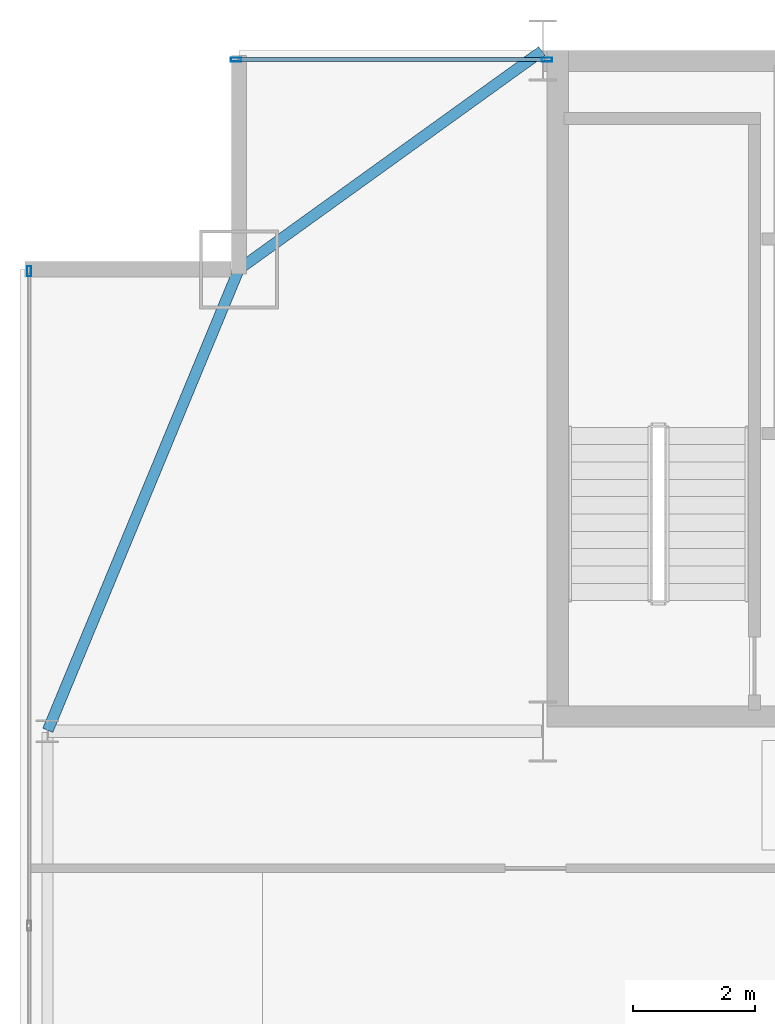
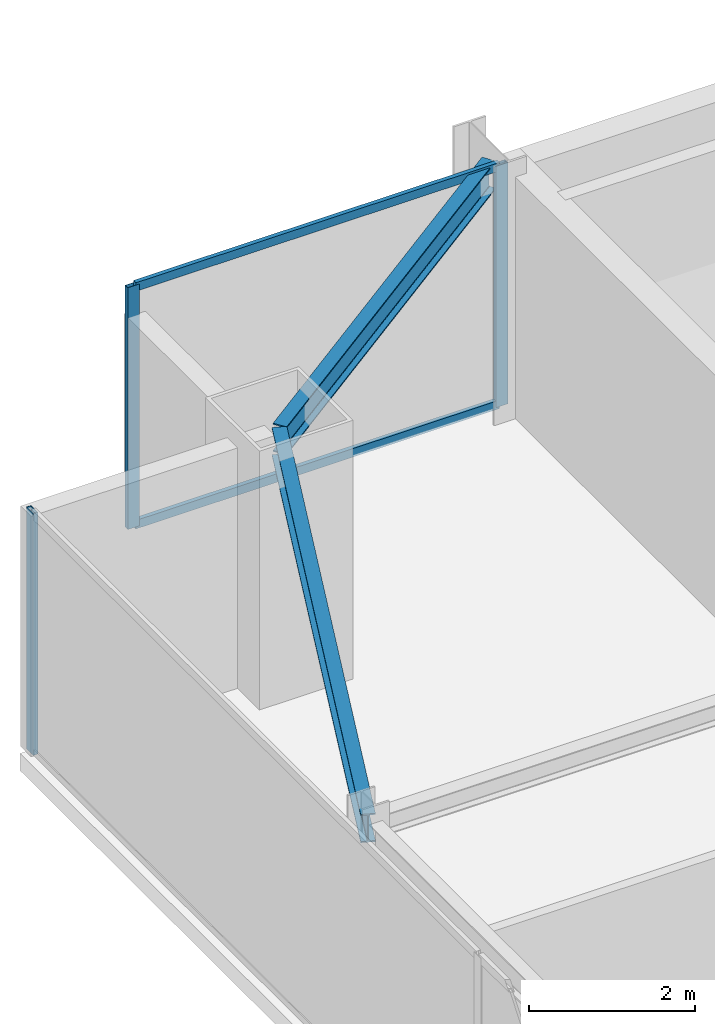
# One storey, part 20 of 30: 5 members, 2 beams, 2 elements without a shape of their own.
"""IFC4 building model written with IfcOpenShell, lengths in metres."""

from ifc_helpers import new_model, si_unit, direction, frame, origin, origin_2d, place, context, subcontext, project, spatial, hollow_rectangle, i_section, extrude, source, transform, mapped, material, layer, layer_set, material_profile, profile_set, type_object, type_shapes, element, aggregate, save


model = new_model("IFC4")

# Units and contexts
model_context = context("Model", 3, precision=1e-05, world=origin(), true_north=direction((0.0, 1.0)))
body_context = subcontext(model_context, "Body", "Model", "MODEL_VIEW")
ifc_project = project(units=[si_unit("LENGTHUNIT", "METRE"), si_unit("AREAUNIT", "SQUARE_METRE"), si_unit("VOLUMEUNIT", "CUBIC_METRE"), si_unit("PLANEANGLEUNIT", "RADIAN"), si_unit("MASSUNIT", "GRAM", prefix="KILO")], contexts=[model_context])

# Site, building, storey
site_placement = place(None, origin())
site = spatial("IfcSite", under=ifc_project, at=site_placement, CompositionType="ELEMENT")
building_placement = place(site_placement, origin())
building = spatial("IfcBuilding", under=site, at=building_placement, Name="Varnel Quay Broadcast Tower", CompositionType="ELEMENT")
storey_placement = place(building_placement, frame((0.0, 0.0, 180.0)))
storey = spatial("IfcBuildingStorey", under=building, at=storey_placement, Name="L44", CompositionType="ELEMENT", Elevation=180.0)

# Beams
ifc_material_1 = material(Name="Structural Steel CSA G40.21 350W", Category="steel")
ifc_material_profile_1 = material_profile(ifc_material_1, i_section(OverallWidth=0.180908203125, OverallDepth=0.4169921875, WebThickness=0.010986328125, FlangeThickness=0.018310546875, FilletRadius=0.011962890625, at=origin_2d()), Name="W410X85")
ifc_profile_set_1 = profile_set([ifc_material_profile_1], Name="Structural Steel CSA G40.21 350W")
beam_type = type_object("IfcBeamType", Name="Beam_W410X85", PredefinedType="SPANDREL", material=ifc_profile_set_1)
shared_shape_1 = source(origin(), body_context, "Body", "SweptSolid", [
    extrude(i_section(OverallWidth=0.180908203125, OverallDepth=0.4169921875, WebThickness=0.010986328125, FlangeThickness=0.018310546875, FilletRadius=0.011962890625, at=origin_2d()), origin(), (0.0, 0.0, 1.0), 8.186767578125),
])
beam_1_placement = place(storey_placement, frame((7.457763671875, 35.618408203125, 3.341552734375), z_axis=(0.382874132092, 0.923800519038, 0.0), x_axis=(-0.923800519038, 0.382874132092, 0.0)))
element("IfcBeam", 1, at=beam_1_placement, inside=storey, type_object=beam_type, Name="L44 West Spandrel TC-W3-MC-NW", PredefinedType="SPANDREL", context=body_context, shape_type="MappedRepresentation", body=[
    mapped(shared_shape_1, transform((0.0, 0.0, 0.0), x_axis=(1.0, 0.0, 0.0), y_axis=(0.0, 1.0, 0.0), z_axis=(0.0, 0.0, 1.0), scale=1.0)),
])
shared_shape_2 = source(origin(), body_context, "Body", "SweptSolid", [
    extrude(i_section(OverallWidth=0.180908203125, OverallDepth=0.4169921875, WebThickness=0.010986328125, FlangeThickness=0.018310546875, FilletRadius=0.011962890625, at=origin_2d()), origin(), (0.0, 0.0, 1.0), 6.12109375),
])
type_shapes(beam_type, [shared_shape_1, shared_shape_2])
beam_2_placement = place(storey_placement, frame((10.6162109375, 43.211669921875, 3.341552734375), z_axis=(0.811531315425, 0.584308928637, 0.0), x_axis=(-0.584308928637, 0.811531315425, 0.0)))
element("IfcBeam", 2, at=beam_2_placement, inside=storey, type_object=beam_type, Name="L44 NW Tie Spandrel", PredefinedType="SPANDREL", context=body_context, shape_type="MappedRepresentation", body=[
    mapped(shared_shape_2, transform((0.0, 0.0, 0.0), x_axis=(1.0, 0.0, 0.0), y_axis=(0.0, 1.0, 0.0), z_axis=(0.0, 0.0, 1.0), scale=1.0)),
])

# Curtain wall, member
ifc_material_2 = material(Name="Anodised Bronze Aluminium 6063-T6", Category="aluminium")
ifc_layer = layer(ifc_material_2, 0.18994140625, Name="Anodised Bronze Aluminium 6063-T6")
ifc_layer_set = layer_set([ifc_layer], Name="Anodised Bronze Aluminium 6063-T6")
curtain_wall_type = type_object("IfcCurtainWallType", Name="CW_UpperTower", PredefinedType="NOTDEFINED", material=ifc_layer_set)
curtain_wall_1_placement = place(storey_placement, origin())
curtain_wall_1 = element("IfcCurtainWall", 3, at=curtain_wall_1_placement, inside=storey, type_object=curtain_wall_type, Name="L44 West Unitised Curtain Wall", PredefinedType="NOTDEFINED")
ifc_material_profile_2 = material_profile(ifc_material_2, hollow_rectangle(XDim=0.06494140625, YDim=0.1650390625, WallThickness=0.00341796875, at=origin_2d()), Name="ALU65X165X3.5")
ifc_profile_set_2 = profile_set([ifc_material_profile_2], Name="Anodised Bronze Aluminium 6063-T6")
member_type_1 = type_object("IfcMemberType", Name="Mull_CWS-03", PredefinedType="MULLION", material=ifc_profile_set_2)
shared_shape_3 = source(origin(), body_context, "Body", "SweptSolid", [
    extrude(hollow_rectangle(XDim=0.06494140625, YDim=0.1650390625, WallThickness=0.00341796875, at=origin_2d()), origin(), (0.0, 0.0, 1.0), 3.550048828125),
])
type_shapes(member_type_1, [shared_shape_3])
member_1_placement = place(storey_placement, frame((7.14990234375, 43.16748046875, 0.0), z_axis=(0.0, 0.0, 1.0), x_axis=(-1.0, 0.0, 0.0)))
member_1 = element("IfcMember", 4, at=member_1_placement, type_object=member_type_1, Name="CWS-03 mullion 4", PredefinedType="MULLION", context=body_context, shape_type="MappedRepresentation", body=[
    mapped(shared_shape_3, transform((0.0, 0.0, 0.0), x_axis=(1.0, 0.0, 0.0), y_axis=(0.0, 1.0, 0.0), z_axis=(0.0, 0.0, 1.0), scale=1.0)),
])
aggregate(curtain_wall_1, [member_1])

# Curtain wall, members
curtain_wall_2_placement = place(storey_placement, origin())
curtain_wall_2 = element("IfcCurtainWall", 5, at=curtain_wall_2_placement, inside=storey, type_object=curtain_wall_type, Name="L44 NW Wing Curtain Wall", PredefinedType="NOTDEFINED")
member_2_placement = place(storey_placement, frame((10.552490234375, 46.64990234375, 0.0), z_axis=(0.0, 0.0, 1.0), x_axis=(0.0, 1.0, 0.0)))
member_2 = element("IfcMember", 6, at=member_2_placement, type_object=member_type_1, Name="CWS-03 mullion 1", PredefinedType="MULLION", context=body_context, shape_type="MappedRepresentation", body=[
    mapped(shared_shape_3, transform((0.0, 0.0, 0.0), x_axis=(1.0, 0.0, 0.0), y_axis=(0.0, 1.0, 0.0), z_axis=(0.0, 0.0, 1.0), scale=1.0)),
])
member_3_placement = place(storey_placement, frame((15.66748046875, 46.64990234375, 0.0), z_axis=(0.0, 0.0, 1.0), x_axis=(0.0, 1.0, 0.0)))
member_3 = element("IfcMember", 7, at=member_3_placement, type_object=member_type_1, Name="CWS-03 mullion 2", PredefinedType="MULLION", context=body_context, shape_type="MappedRepresentation", body=[
    mapped(shared_shape_3, transform((0.0, 0.0, 0.0), x_axis=(1.0, 0.0, 0.0), y_axis=(0.0, 1.0, 0.0), z_axis=(0.0, 0.0, 1.0), scale=1.0)),
])
ifc_material_profile_3 = material_profile(ifc_material_2, hollow_rectangle(XDim=0.06005859375, YDim=0.125, WallThickness=0.0029296875, at=origin_2d()), Name="ALU60X125X3")
ifc_profile_set_3 = profile_set([ifc_material_profile_3], Name="Anodised Bronze Aluminium 6063-T6")
member_type_2 = type_object("IfcMemberType", Name="Tran_CWS-03", PredefinedType="USERDEFINED", material=ifc_profile_set_3)
shared_shape_4 = source(origin(), body_context, "Body", "SweptSolid", [
    extrude(hollow_rectangle(XDim=0.06005859375, YDim=0.125, WallThickness=0.0029296875, at=origin_2d()), origin(), (0.0, 0.0, 1.0), 5.050048828125),
])
type_shapes(member_type_2, [shared_shape_4])
member_4_placement = place(storey_placement, frame((10.5849609375, 46.64990234375, 0.030029296875), z_axis=(1.0, 0.0, 0.0), x_axis=(0.0, 1.0, 0.0)))
member_4 = element("IfcMember", 8, at=member_4_placement, type_object=member_type_2, Name="CWS-03 transom 1.1", ObjectType="TRANSOM", PredefinedType="USERDEFINED", context=body_context, shape_type="MappedRepresentation", body=[
    mapped(shared_shape_4, transform((0.0, 0.0, 0.0), x_axis=(1.0, 0.0, 0.0), y_axis=(0.0, 1.0, 0.0), z_axis=(0.0, 0.0, 1.0), scale=1.0)),
])
member_5_placement = place(storey_placement, frame((10.5849609375, 46.64990234375, 3.52001953125), z_axis=(1.0, 0.0, 0.0), x_axis=(0.0, 1.0, 0.0)))
member_5 = element("IfcMember", 9, at=member_5_placement, type_object=member_type_2, Name="CWS-03 transom 1.2", ObjectType="TRANSOM", PredefinedType="USERDEFINED", context=body_context, shape_type="MappedRepresentation", body=[
    mapped(shared_shape_4, transform((0.0, 0.0, 0.0), x_axis=(1.0, 0.0, 0.0), y_axis=(0.0, 1.0, 0.0), z_axis=(0.0, 0.0, 1.0), scale=1.0)),
])
aggregate(curtain_wall_2, [member_2, member_3, member_4, member_5])

save(model, "model.ifc")
